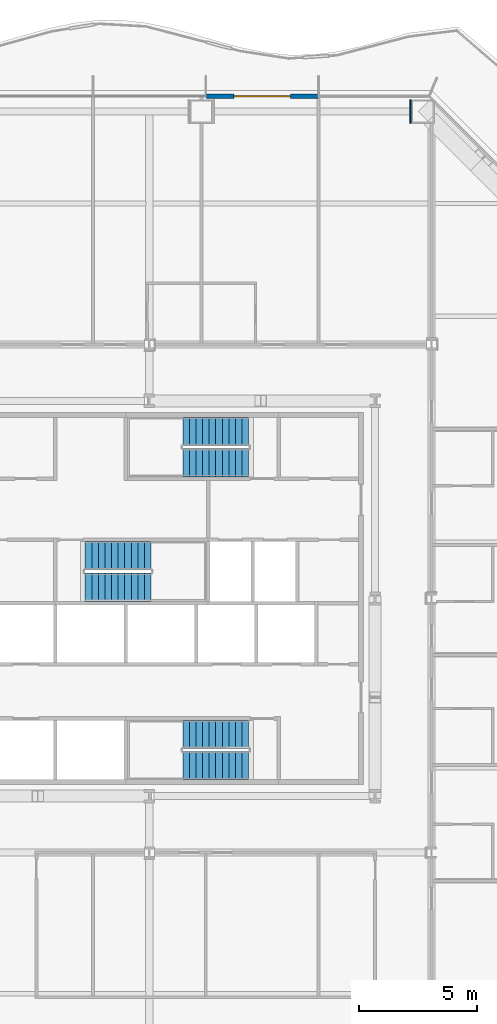
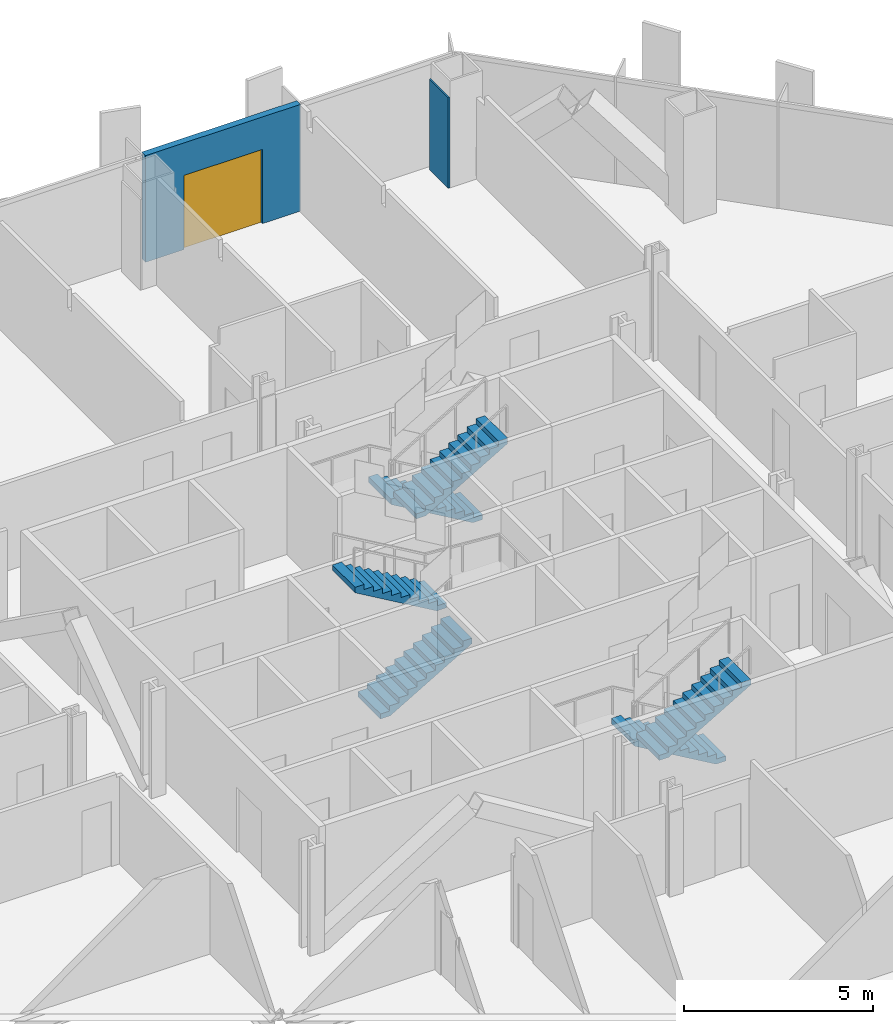
# One storey, part 14 of 21: 6 stair flights, 2 walls, 1 door, 1 opening, 3 elements without a shape of their own.
"""IFC4 building model written with IfcOpenShell, lengths in metres."""

import ifcopenshell
import ifcopenshell.guid

model = None  # the IFC model being written
_history = None  # IfcOwnerHistory: only IFC2X3 demands one
_inside = {}  # id of a spatial element -> (the spatial element, [elements in it])
_under = {}  # id of a project, library or spatial element -> (it, [spatial elements below it])
_declared = {}  # id of a project -> (the project, [libraries it declares])
_typed = {}  # id of a type object -> (the type object, [elements of that type])
_made_of = {}  # id of a material, layer set ... -> (it, [elements and type objects made of it])


def new_model(schema):
    """Start an empty IFC model of exactly this schema.

    Asked for "IFC4X3", IfcOpenShell would pick the latest addendum, in which some entities
    have other attributes; the version numbers below select the first issue.
    IFC2X3 requires an IfcOwnerHistory on every rooted entity: one is made here for all.
    """
    global model, _history
    if schema == "IFC4X3":
        model = ifcopenshell.file(schema_version=(4, 3, 0, 0))
    else:
        model = ifcopenshell.file(schema=schema)
    _inside.clear()
    _under.clear()
    _declared.clear()
    _typed.clear()
    _made_of.clear()
    _history = None
    if model.schema == "IFC2X3":
        org = make("IfcOrganization", Name="unknown")
        user = make(
            "IfcPersonAndOrganization",
            ThePerson=make("IfcPerson", FamilyName="unknown"),
            TheOrganization=org,
        )
        app = make(
            "IfcApplication",
            ApplicationDeveloper=org,
            Version="unknown",
            ApplicationFullName="unknown",
            ApplicationIdentifier="unknown",
        )
        _history = make(
            "IfcOwnerHistory",
            OwningUser=user,
            OwningApplication=app,
            ChangeAction="ADDED",
            CreationDate=0,
        )
    return model


def make(cls, **values):
    """One entity of the class cls with the attributes given. An attribute that is None is left unset."""
    return model.create_entity(
        cls, **{name: value for name, value in values.items() if value is not None}
    )


def rooted(cls, **values):
    """An entity with a GlobalId (a new one), such as an element, a storey or a relation."""
    return make(cls, GlobalId=ifcopenshell.guid.new(), OwnerHistory=_history, **values)


def si_unit(unit_type, name, prefix=None):
    """IfcSIUnit, for example si_unit("LENGTHUNIT", "METRE", prefix="MILLI")."""
    return make("IfcSIUnit", UnitType=unit_type, Prefix=prefix, Name=name)


def assignment(units):
    """IfcUnitAssignment: the units of a project."""
    return None if units is None else make("IfcUnitAssignment", Units=units)


def point(xyz):
    """IfcCartesianPoint."""
    return None if xyz is None else make("IfcCartesianPoint", Coordinates=xyz)


def direction(xyz):
    """IfcDirection."""
    return None if xyz is None else make("IfcDirection", DirectionRatios=xyz)


def frame(location, z_axis=None, x_axis=None):
    """IfcAxis2Placement3D, a coordinate frame: its origin and axes. An axis left out is left unset."""
    return make(
        "IfcAxis2Placement3D",
        Location=point(location),
        Axis=direction(z_axis),
        RefDirection=direction(x_axis),
    )


def frame_2d(location, x_axis=None):
    """IfcAxis2Placement2D, a coordinate frame in the plane: its origin and x axis."""
    return make(
        "IfcAxis2Placement2D", Location=point(location), RefDirection=direction(x_axis)
    )


def origin():
    """The frame at (0, 0, 0) with its axes left unset."""
    return frame((0.0, 0.0, 0.0))


def place(relative_to, where):
    """IfcLocalPlacement: puts the frame where relative to a parent placement (None: the world)."""
    return make(
        "IfcLocalPlacement", PlacementRelTo=relative_to, RelativePlacement=where
    )


def context(
    kind, dimensions, precision=None, world=None, true_north=None, identifier=None
):
    """IfcGeometricRepresentationContext, for example the 3D "Model" context."""
    return make(
        "IfcGeometricRepresentationContext",
        ContextIdentifier=identifier,
        ContextType=kind,
        CoordinateSpaceDimension=dimensions,
        Precision=precision,
        WorldCoordinateSystem=world,
        TrueNorth=true_north,
    )


def subcontext(parent, identifier, kind, view, scale=None):
    """IfcGeometricRepresentationSubContext, for example "Body" below "Model"."""
    return make(
        "IfcGeometricRepresentationSubContext",
        ContextIdentifier=identifier,
        ContextType=kind,
        ParentContext=parent,
        TargetScale=scale,
        TargetView=view,
    )


def project(units=None, contexts=None):
    """IfcProject with its units and contexts."""
    return rooted(
        "IfcProject",
        Name="project",
        RepresentationContexts=contexts,
        UnitsInContext=assignment(units),
    )


def spatial(cls, under=None, at=None, **own):
    """A site, building, storey or space (cls), placed at a placement, below another one or the project."""
    s = rooted(cls, ObjectPlacement=at, **own)
    if under is not None:
        _under.setdefault(under.id(), (under, []))[1].append(s)
    return s


def polyline(points):
    """IfcPolyline through the points."""
    return make("IfcPolyline", Points=[point(p) for p in points])


def profile(cls, at=None, kind="AREA", **sizes):
    """A parametric profile (cls). Its sizes go by their IFC names, for example OverallWidth=200.0."""
    return make(cls, ProfileType=kind, Position=at, **sizes)


def rectangle(**sizes):
    """IfcRectangleProfileDef."""
    return profile("IfcRectangleProfileDef", **sizes)


def outline(outer, holes=None, kind="AREA"):
    """IfcArbitraryClosedProfileDef: a profile drawn as a closed curve; with holes, ...WithVoids."""
    if holes is None:
        return make("IfcArbitraryClosedProfileDef", ProfileType=kind, OuterCurve=outer)
    return make(
        "IfcArbitraryProfileDefWithVoids",
        ProfileType=kind,
        OuterCurve=outer,
        InnerCurves=holes,
    )


def extrude(swept, where, along, depth):
    """IfcExtrudedAreaSolid: the profile swept, set in the frame where, extruded along a direction by depth."""
    return make(
        "IfcExtrudedAreaSolid",
        SweptArea=swept,
        Position=where,
        ExtrudedDirection=direction(along),
        Depth=depth,
    )


def shape(context_of_items, identifier, shape_type, items):
    """IfcShapeRepresentation: the items that make up one representation, for example the "Body"."""
    return make(
        "IfcShapeRepresentation",
        ContextOfItems=context_of_items,
        RepresentationIdentifier=identifier,
        RepresentationType=shape_type,
        Items=items,
    )


def material(Name=None, Category=None):
    """IfcMaterial."""
    return make("IfcMaterial", Name=Name, Category=Category)


def layer(
    of_material, thickness, ventilated=None, Name=None, Category=None, Priority=None
):
    """IfcMaterialLayer: one layer of a wall or slab, of a material (None: an air gap)."""
    return make(
        "IfcMaterialLayer",
        Material=of_material,
        LayerThickness=thickness,
        IsVentilated=ventilated,
        Name=Name,
        Category=Category,
        Priority=Priority,
    )


def layer_set(layers, Name=None):
    """IfcMaterialLayerSet."""
    return make("IfcMaterialLayerSet", MaterialLayers=layers, LayerSetName=Name)


def made_of(thing, what):
    """Note that an element or type object is made of a material, layer set ...; save() writes the relation."""
    if what is not None:
        _made_of.setdefault(what.id(), (what, []))[1].append(thing)
    return thing


def type_object(cls, material=None, **own):
    """A type object (cls), such as IfcWallType, which elements share."""
    return made_of(rooted(cls, **own), material)


def element(
    cls,
    number,
    at=None,
    inside=None,
    cuts=None,
    type_object=None,
    material=None,
    context=None,
    identifier="Body",
    shape_type=None,
    held_by="IfcProductDefinitionShape",
    body=None,
    shapes=None,
    **own,
):
    """One element of the class cls, such as IfcWall. Its Tag is "e" and its number.

    at: its placement. inside: the storey or other place that contains it. cuts: it is an
    opening in that element (IfcRelVoidsElement). A single representation is given by context,
    identifier, shape_type and body (its items); several are given by shapes. held_by: the class
    of the entity that holds the representations. save() writes the other relations.
    """
    e = rooted(cls, Tag="e%d" % number, ObjectPlacement=at, **own)
    if body is not None:
        shapes = [shape(context, identifier, shape_type, body)]
    if shapes is not None:
        e.Representation = make(held_by, Representations=shapes)
    if inside is not None:
        _inside.setdefault(inside.id(), (inside, []))[1].append(e)
    if cuts is not None:
        rooted(
            "IfcRelVoidsElement", RelatingBuildingElement=cuts, RelatedOpeningElement=e
        )
    if type_object is not None:
        _typed.setdefault(type_object.id(), (type_object, []))[1].append(e)
    return made_of(e, material)


def fill(opening, filler):
    """IfcRelFillsElement: the door or window that sits in an opening."""
    return rooted(
        "IfcRelFillsElement",
        RelatingOpeningElement=opening,
        RelatedBuildingElement=filler,
    )


def aggregate(whole, parts):
    """IfcRelAggregates: a whole, such as a stair, and the parts it consists of."""
    return rooted("IfcRelAggregates", RelatingObject=whole, RelatedObjects=parts)


def save(model, path):
    """Write the relations noted so far, then the file.

    IfcRelAggregates (storeys below a building ...), IfcRelContainedInSpatialStructure (elements
    in a storey), IfcRelDefinesByType, IfcRelAssociatesMaterial and IfcRelDeclares: one each for
    every whole, place, type object, material and project.
    """
    for whole, parts in _under.values():
        aggregate(whole, parts)
    for where, things in _inside.values():
        rooted(
            "IfcRelContainedInSpatialStructure",
            RelatedElements=things,
            RelatingStructure=where,
        )
    for kind, things in _typed.values():
        rooted("IfcRelDefinesByType", RelatedObjects=things, RelatingType=kind)
    for what, things in _made_of.values():
        rooted("IfcRelAssociatesMaterial", RelatedObjects=things, RelatingMaterial=what)
    for by, libraries in _declared.values():
        rooted("IfcRelDeclares", RelatingContext=by, RelatedDefinitions=libraries)
    model.write(path)


model = new_model("IFC4")

# Units and contexts
model_context = context("Model", 3, precision=1e-05, world=origin(), true_north=direction((0.0, 1.0)))
body_context = subcontext(model_context, "Body", "Model", "MODEL_VIEW")
ifc_project = project(units=[si_unit("LENGTHUNIT", "METRE"), si_unit("AREAUNIT", "SQUARE_METRE"), si_unit("VOLUMEUNIT", "CUBIC_METRE"), si_unit("PLANEANGLEUNIT", "RADIAN"), si_unit("MASSUNIT", "GRAM", prefix="KILO")], contexts=[model_context])

# Site, building, storey
site_placement = place(None, origin())
site = spatial("IfcSite", under=ifc_project, at=site_placement, CompositionType="ELEMENT")
building_placement = place(site_placement, origin())
building = spatial("IfcBuilding", under=site, at=building_placement, Name="Cairn Pilgrim Tower", CompositionType="ELEMENT")
storey_placement = place(building_placement, frame((0.0, 0.0, 58.199951171875)))
storey = spatial("IfcBuildingStorey", under=building, at=storey_placement, Name="L12", CompositionType="ELEMENT", Elevation=58.199951171875)

# Wall, opening, door
ifc_material_1 = material(Name="Bronze anodised aluminium insulated sandwich panel with mineral wool fill", Category="aluminium")
ifc_layer_1 = layer(ifc_material_1, 0.199951171875)
ifc_layer_set_1 = layer_set([ifc_layer_1], Name="BRONZE INFILL FRAME WALL 200")
wall_type_1 = type_object("IfcWallType", Name="BRONZE INFILL FRAME WALL 200", PredefinedType="NOTDEFINED", material=ifc_layer_set_1)
wall_1_placement = place(storey_placement, frame((14.3701171875, 23.75, 0.0), z_axis=(0.0, 0.0, 1.0), x_axis=(-1.0, 0.0, 0.0)))
wall_1 = element("IfcWall", 1, at=wall_1_placement, inside=storey, type_object=wall_type_1, Name="Bronze infill frame wall IW-N2", PredefinedType="NOTDEFINED", context=body_context, shape_type="SweptSolid", body=[
    extrude(rectangle(XDim=4.740234375, YDim=0.199951171875, at=frame_2d((2.3701171875, 0.0))), origin(), (0.0, 0.0, 1.0), 3.449951171875),
])
opening_placement = place(wall_1_placement, frame((1.169921875, 0.0, 0.0)))
opening = element("IfcOpeningElement", 2, at=opening_placement, cuts=wall_1, Name="Opening 1220B", PredefinedType="OPENING", context=body_context, shape_type="SweptSolid", body=[
    extrude(rectangle(XDim=2.39990234375, YDim=2.39990234375, at=frame_2d((1.199951171875, 1.199951171875))), frame((0.0, 0.10986328125, 0.0), z_axis=(0.0, -1.0, 0.0), x_axis=(1.0, 0.0, 0.0)), (0.0, 0.0, 1.0), 0.219970703125),
])
ifc_material_2 = material(Name="Bronze anodised aluminium frame with tinted low-E glass", Category="aluminium")
door_type = type_object("IfcDoorType", Name="BALCONY SLIDING DOOR 2400x2400", OperationType="DOUBLE_DOOR_SLIDING", PredefinedType="DOOR", material=ifc_material_2)
door_placement = place(opening_placement, origin())
door = element("IfcDoor", 3, at=door_placement, inside=storey, type_object=door_type, Name="Balcony sliding door 1220B", OperationType="SINGLE_SWING_LEFT", OverallHeight=2.39990234375, OverallWidth=2.39990234375, PredefinedType="DOOR", context=body_context, shape_type="SweptSolid", body=[
    extrude(rectangle(XDim=2.39990234375, YDim=2.39990234375, at=frame_2d((1.199951171875, 1.199951171875))), frame((0.0, 0.02490234375, 0.0), z_axis=(0.0, -1.0, 0.0), x_axis=(1.0, 0.0, 0.0)), (0.0, 0.0, 1.0), 0.050048828125),
])
fill(opening, door)

# Wall
ifc_material_3 = material(Name="Gypsum partition")
ifc_layer_2 = layer(ifc_material_3, 0.050048828125)
ifc_layer_set_2 = layer_set([ifc_layer_2], Name="PARTITION 50 DRYWALL EI 60")
wall_type_2 = type_object("IfcWallType", Name="PARTITION 50 DRYWALL EI 60", PredefinedType="PARTITIONING", material=ifc_layer_set_2)
wall_2_placement = place(storey_placement, frame((18.30224609375, 22.60009765625, 0.0), z_axis=(0.0, 0.0, 1.0), x_axis=(0.0, 1.0, 0.0)))
element("IfcWall", 4, at=wall_2_placement, inside=storey, type_object=wall_type_2, Name="COLUMN CASING WC33", PredefinedType="PARTITIONING", context=body_context, shape_type="SweptSolid", body=[
    extrude(rectangle(XDim=1.0, YDim=0.050048828125, at=frame_2d((0.5, 0.0))), origin(), (0.0, 0.0, 1.0), 2.929931640625),
])

# Stair, stair flights
ifc_material_4 = material(Name="Concrete C32/40", Category="concrete")
stair_type = type_object("IfcStairType", Name="EXIT STAIR 1200", PredefinedType="HALF_TURN_STAIR", material=ifc_material_4)
stair_1_placement = place(storey_placement, origin())
stair_1 = element("IfcStair", 5, at=stair_1_placement, inside=storey, type_object=stair_type, Name="L12 Exit Stair A", PredefinedType="HALF_TURN_STAIR")
stair_flight_type = type_object("IfcStairFlightType", Name="STAIR FLIGHT 1200", PredefinedType="STRAIGHT", material=ifc_material_4)
stair_flight_1_placement = place(storey_placement, frame((11.425048828125, -3.375, 0.0), z_axis=(0.0, 0.0, 1.0), x_axis=(-1.0, 0.0, 0.0)))
stair_flight_1 = element("IfcStairFlight", 6, at=stair_flight_1_placement, type_object=stair_flight_type, Name="ST-A flight 1", NumberOfRisers=11, NumberOfTreads=10, PredefinedType="STRAIGHT", RiserHeight=0.163636364, TreadLength=0.28, context=body_context, shape_type="SweptSolid", body=[
    extrude(outline(polyline([(0.0, 0.0), (0.0, 0.16357421875), (0.280029296875, 0.16357421875), (0.280029296875, 0.327392578125), (0.56005859375, 0.327392578125), (0.56005859375, 0.490966796875), (0.840087890625, 0.490966796875), (0.840087890625, 0.654541015625), (1.1201171875, 0.654541015625), (1.1201171875, 0.818115234375), (1.39990234375, 0.818115234375), (1.39990234375, 0.98193359375), (1.679931640625, 0.98193359375), (1.679931640625, 1.1455078125), (1.9599609375, 1.1455078125), (1.9599609375, 1.30908203125), (2.239990234375, 1.30908203125), (2.239990234375, 1.47265625), (2.52001953125, 1.47265625), (2.52001953125, 1.636474609375), (2.800048828125, 1.636474609375), (2.800048828125, 1.800048828125), (2.800048828125, 1.462646484375), (0.297119140625, 0.0), (0.0, 0.0)])), frame((0.0, 0.60009765625, 0.0), z_axis=(0.0, -1.0, 0.0), x_axis=(1.0, 0.0, 0.0)), (0.0, 0.0, 1.0), 1.199951171875),
])
stair_flight_2_placement = place(storey_placement, frame((8.625, -4.699951171875, 1.800048828125), z_axis=(0.0, 0.0, 1.0), x_axis=(1.0, 0.0, 0.0)))
stair_flight_2 = element("IfcStairFlight", 7, at=stair_flight_2_placement, type_object=stair_flight_type, Name="ST-A flight 2", NumberOfRisers=11, NumberOfTreads=10, PredefinedType="STRAIGHT", RiserHeight=0.163636364, TreadLength=0.28, context=body_context, shape_type="SweptSolid", body=[
    extrude(outline(polyline([(0.0, 0.0), (0.0, 0.16357421875), (0.280029296875, 0.16357421875), (0.280029296875, 0.327392578125), (0.56005859375, 0.327392578125), (0.56005859375, 0.490966796875), (0.840087890625, 0.490966796875), (0.840087890625, 0.654541015625), (1.1201171875, 0.654541015625), (1.1201171875, 0.818115234375), (1.39990234375, 0.818115234375), (1.39990234375, 0.98193359375), (1.679931640625, 0.98193359375), (1.679931640625, 1.1455078125), (1.9599609375, 1.1455078125), (1.9599609375, 1.30908203125), (2.239990234375, 1.30908203125), (2.239990234375, 1.47265625), (2.52001953125, 1.47265625), (2.52001953125, 1.636474609375), (2.800048828125, 1.636474609375), (2.800048828125, 1.800048828125), (2.800048828125, 1.462646484375), (0.297119140625, 0.0), (0.0, 0.0)])), frame((0.0, 0.60009765625, 0.0), z_axis=(0.0, -1.0, 0.0), x_axis=(1.0, 0.0, 0.0)), (0.0, 0.0, 1.0), 1.199951171875),
])
aggregate(stair_1, [stair_flight_1, stair_flight_2])

stair_2_placement = place(storey_placement, origin())
stair_2 = element("IfcStair", 8, at=stair_2_placement, inside=storey, type_object=stair_type, Name="L12 Exit Stair B", PredefinedType="HALF_TURN_STAIR")
stair_flight_3_placement = place(storey_placement, frame((4.47509765625, 2.875, 0.0), z_axis=(0.0, 0.0, 1.0), x_axis=(1.0, 0.0, 0.0)))
stair_flight_3 = element("IfcStairFlight", 9, at=stair_flight_3_placement, type_object=stair_flight_type, Name="ST-B flight 1", NumberOfRisers=11, NumberOfTreads=10, PredefinedType="STRAIGHT", RiserHeight=0.163636364, TreadLength=0.28, context=body_context, shape_type="SweptSolid", body=[
    extrude(outline(polyline([(0.0, 0.0), (0.0, 0.16357421875), (0.280029296875, 0.16357421875), (0.280029296875, 0.327392578125), (0.56005859375, 0.327392578125), (0.56005859375, 0.490966796875), (0.840087890625, 0.490966796875), (0.840087890625, 0.654541015625), (1.1201171875, 0.654541015625), (1.1201171875, 0.818115234375), (1.39990234375, 0.818115234375), (1.39990234375, 0.98193359375), (1.679931640625, 0.98193359375), (1.679931640625, 1.1455078125), (1.9599609375, 1.1455078125), (1.9599609375, 1.30908203125), (2.239990234375, 1.30908203125), (2.239990234375, 1.47265625), (2.52001953125, 1.47265625), (2.52001953125, 1.636474609375), (2.800048828125, 1.636474609375), (2.800048828125, 1.800048828125), (2.800048828125, 1.462646484375), (0.297119140625, 0.0), (0.0, 0.0)])), frame((0.0, 0.60009765625, 0.0), z_axis=(0.0, -1.0, 0.0), x_axis=(1.0, 0.0, 0.0)), (0.0, 0.0, 1.0), 1.199951171875),
])
stair_flight_4_placement = place(storey_placement, frame((7.27490234375, 4.22509765625, 1.800048828125), z_axis=(0.0, 0.0, 1.0), x_axis=(-1.0, 0.0, 0.0)))
stair_flight_4 = element("IfcStairFlight", 10, at=stair_flight_4_placement, type_object=stair_flight_type, Name="ST-B flight 2", NumberOfRisers=11, NumberOfTreads=10, PredefinedType="STRAIGHT", RiserHeight=0.163636364, TreadLength=0.28, context=body_context, shape_type="SweptSolid", body=[
    extrude(outline(polyline([(0.0, 0.0), (0.0, 0.16357421875), (0.280029296875, 0.16357421875), (0.280029296875, 0.327392578125), (0.56005859375, 0.327392578125), (0.56005859375, 0.490966796875), (0.840087890625, 0.490966796875), (0.840087890625, 0.654541015625), (1.1201171875, 0.654541015625), (1.1201171875, 0.818115234375), (1.39990234375, 0.818115234375), (1.39990234375, 0.98193359375), (1.679931640625, 0.98193359375), (1.679931640625, 1.1455078125), (1.9599609375, 1.1455078125), (1.9599609375, 1.30908203125), (2.239990234375, 1.30908203125), (2.239990234375, 1.47265625), (2.52001953125, 1.47265625), (2.52001953125, 1.636474609375), (2.800048828125, 1.636474609375), (2.800048828125, 1.800048828125), (2.800048828125, 1.462646484375), (0.297119140625, 0.0), (0.0, 0.0)])), frame((0.0, 0.60009765625, 0.0), z_axis=(0.0, -1.0, 0.0), x_axis=(1.0, 0.0, 0.0)), (0.0, 0.0, 1.0), 1.199951171875),
])
aggregate(stair_2, [stair_flight_3, stair_flight_4])

stair_3_placement = place(storey_placement, origin())
stair_3 = element("IfcStair", 11, at=stair_3_placement, inside=storey, type_object=stair_type, Name="L12 Exit Stair C", PredefinedType="HALF_TURN_STAIR")
stair_flight_5_placement = place(storey_placement, frame((11.425048828125, 9.5, 0.0), z_axis=(0.0, 0.0, 1.0), x_axis=(-1.0, 0.0, 0.0)))
stair_flight_5 = element("IfcStairFlight", 12, at=stair_flight_5_placement, type_object=stair_flight_type, Name="ST-C flight 1", NumberOfRisers=11, NumberOfTreads=10, PredefinedType="STRAIGHT", RiserHeight=0.163636364, TreadLength=0.28, context=body_context, shape_type="SweptSolid", body=[
    extrude(outline(polyline([(0.0, 0.0), (0.0, 0.16357421875), (0.280029296875, 0.16357421875), (0.280029296875, 0.327392578125), (0.56005859375, 0.327392578125), (0.56005859375, 0.490966796875), (0.840087890625, 0.490966796875), (0.840087890625, 0.654541015625), (1.1201171875, 0.654541015625), (1.1201171875, 0.818115234375), (1.39990234375, 0.818115234375), (1.39990234375, 0.98193359375), (1.679931640625, 0.98193359375), (1.679931640625, 1.1455078125), (1.9599609375, 1.1455078125), (1.9599609375, 1.30908203125), (2.239990234375, 1.30908203125), (2.239990234375, 1.47265625), (2.52001953125, 1.47265625), (2.52001953125, 1.636474609375), (2.800048828125, 1.636474609375), (2.800048828125, 1.800048828125), (2.800048828125, 1.462646484375), (0.297119140625, 0.0), (0.0, 0.0)])), frame((0.0, 0.60009765625, 0.0), z_axis=(0.0, -1.0, 0.0), x_axis=(1.0, 0.0, 0.0)), (0.0, 0.0, 1.0), 1.199951171875),
])
stair_flight_6_placement = place(storey_placement, frame((8.625, 8.175048828125, 1.800048828125), z_axis=(0.0, 0.0, 1.0), x_axis=(1.0, 0.0, 0.0)))
stair_flight_6 = element("IfcStairFlight", 13, at=stair_flight_6_placement, type_object=stair_flight_type, Name="ST-C flight 2", NumberOfRisers=11, NumberOfTreads=10, PredefinedType="STRAIGHT", RiserHeight=0.163636364, TreadLength=0.28, context=body_context, shape_type="SweptSolid", body=[
    extrude(outline(polyline([(0.0, 0.0), (0.0, 0.16357421875), (0.280029296875, 0.16357421875), (0.280029296875, 0.327392578125), (0.56005859375, 0.327392578125), (0.56005859375, 0.490966796875), (0.840087890625, 0.490966796875), (0.840087890625, 0.654541015625), (1.1201171875, 0.654541015625), (1.1201171875, 0.818115234375), (1.39990234375, 0.818115234375), (1.39990234375, 0.98193359375), (1.679931640625, 0.98193359375), (1.679931640625, 1.1455078125), (1.9599609375, 1.1455078125), (1.9599609375, 1.30908203125), (2.239990234375, 1.30908203125), (2.239990234375, 1.47265625), (2.52001953125, 1.47265625), (2.52001953125, 1.636474609375), (2.800048828125, 1.636474609375), (2.800048828125, 1.800048828125), (2.800048828125, 1.462646484375), (0.297119140625, 0.0), (0.0, 0.0)])), frame((0.0, 0.60009765625, 0.0), z_axis=(0.0, -1.0, 0.0), x_axis=(1.0, 0.0, 0.0)), (0.0, 0.0, 1.0), 1.199951171875),
])
aggregate(stair_3, [stair_flight_5, stair_flight_6])

save(model, "model.ifc")
